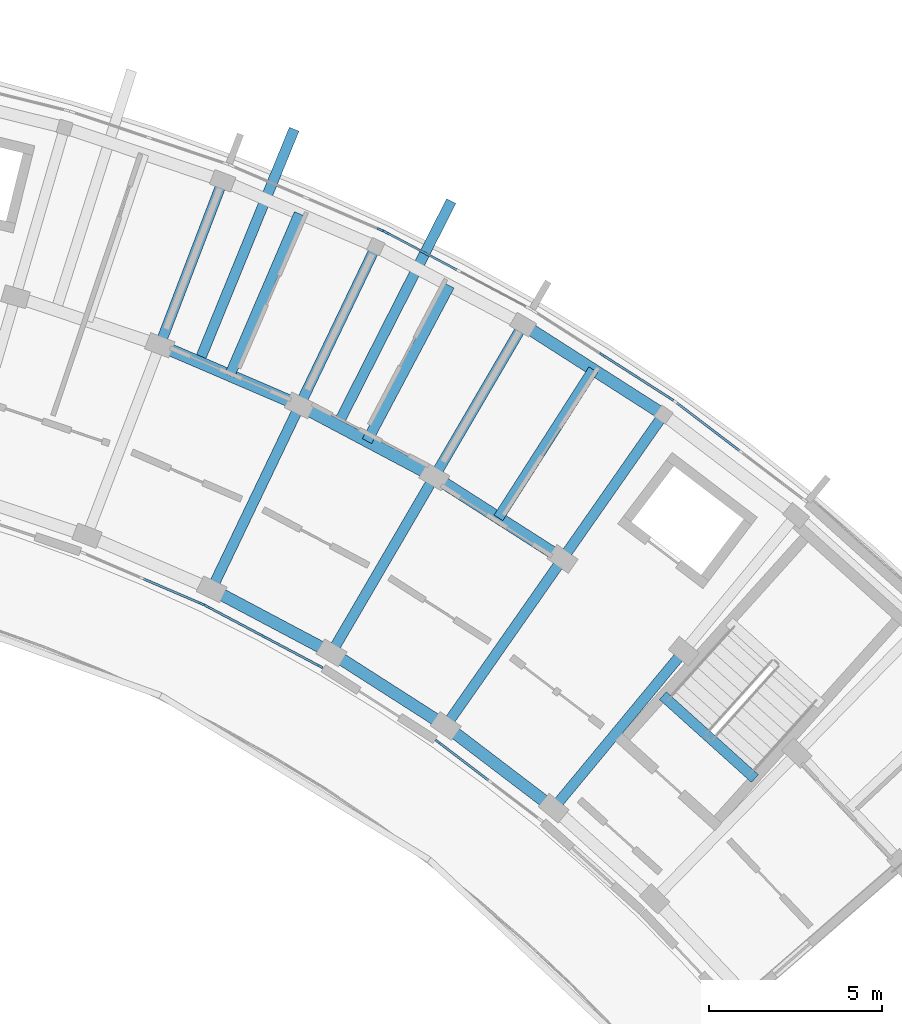
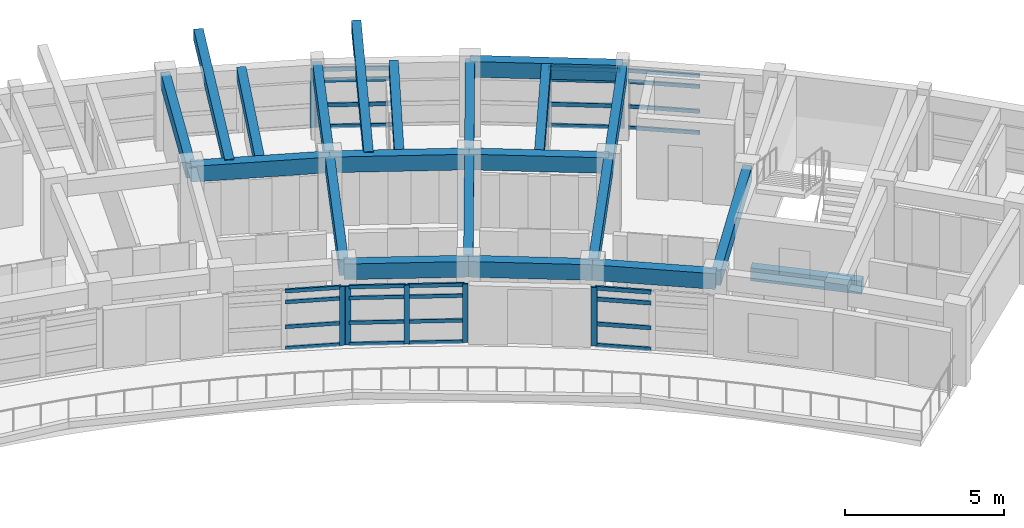
# One storey, part 13 of 38: 37 members, 21 beams, 7 elements without a shape of their own.
"""IFC4 building model written with IfcOpenShell, lengths in metres."""

from ifc_helpers import new_model, si_unit, direction, frame, origin, origin_2d, place, context, subcontext, project, spatial, rectangle, extrude, material, material_profile, profile_set, type_object, element, aggregate, save


model = new_model("IFC4")

# Units and contexts
model_context = context("Model", 3, precision=1e-05, world=origin(), true_north=direction((0.0, 1.0)))
body_context = subcontext(model_context, "Body", "Model", "MODEL_VIEW")
ifc_project = project(units=[si_unit("LENGTHUNIT", "METRE"), si_unit("AREAUNIT", "SQUARE_METRE"), si_unit("VOLUMEUNIT", "CUBIC_METRE"), si_unit("PLANEANGLEUNIT", "RADIAN"), si_unit("MASSUNIT", "GRAM", prefix="KILO")], contexts=[model_context])

# Site, building, storey
site_placement = place(None, origin())
site = spatial("IfcSite", under=ifc_project, at=site_placement, CompositionType="ELEMENT")
building_placement = place(site_placement, origin())
building = spatial("IfcBuilding", under=site, at=building_placement, Name="Zimvara Arc Housing Community", CompositionType="ELEMENT")
storey_placement = place(building_placement, frame((0.0, 0.0, 29.800048828125)))
storey = spatial("IfcBuildingStorey", under=building, at=storey_placement, Name="L09", CompositionType="ELEMENT", Elevation=29.800048828125)

# Beams
ifc_material_1 = material(Name="Concrete C40/50", Category="concrete")
ifc_material_profile_1 = material_profile(ifc_material_1, rectangle(XDim=0.300048828125, YDim=0.449951171875, at=origin_2d()), Name="RC 300x450")
ifc_profile_set_1 = profile_set([ifc_material_profile_1], Name="Concrete C40/50")
beam_type_1 = type_object("IfcBeamType", Name="BM-RC-300x450", PredefinedType="JOIST", material=ifc_profile_set_1)
beam_1_placement = place(storey_placement, frame((66.22802734375, 93.885986328125, 2.635009765625), z_axis=(0.394929109608, 0.918711596958, 0.0), x_axis=(-0.918711596958, 0.394929109608, 0.0)))
element("IfcBeam", 1, at=beam_1_placement, inside=storey, type_object=beam_type_1, Name="bm:blkB:L09:joist:b4", PredefinedType="JOIST", context=body_context, shape_type="SweptSolid", body=[
    extrude(rectangle(XDim=0.300048828125, YDim=0.449951171875, at=origin_2d()), origin(), (0.0, 0.0, 1.0), 5.075927734375),
])
for number, where, z_axis, x_axis, name in (
    (2, (70.186767578125, 91.9892578125, 2.635009765625), (0.46853732736, 0.883443701019, 0.0), (-0.883443701019, 0.46853732736, 0.0), "bm:blkB:L09:joist:b5"),
    (3, (73.9775390625, 89.776123046875, 2.635009765625), (0.539052331508, 0.842272274206, 0.0), (-0.842272274206, 0.539052331508, 0.0), "bm:blkB:L09:joist:b6"),
):
    element("IfcBeam", number, at=place(storey_placement, frame(where, z_axis=z_axis, x_axis=x_axis)), inside=storey, type_object=beam_type_1, Name=name, PredefinedType="JOIST", context=body_context, shape_type="SweptSolid", body=[
        extrude(rectangle(XDim=0.300048828125, YDim=0.449951171875, at=origin_2d()), origin(), (0.0, 0.0, 1.0), 5.07568359375),
    ])
for number, where, z_axis, x_axis, name in (
    (4, (65.354248046875, 94.301025390625, 2.6650390625), (0.37834711263, 0.925663795535, 0.0), (-0.925663795535, 0.37834711263, 0.0), "bm:blkB:L09:cant_out:b4"),
    (5, (69.349609375, 92.474365234375, 2.6650390625), (0.45261583812, 0.891705614585, 0.0), (-0.891705614585, 0.45261583812, 0.0), "bm:blkB:L09:cant_out:b5"),
):
    element("IfcBeam", number, at=place(storey_placement, frame(where, z_axis=z_axis, x_axis=x_axis)), inside=storey, type_object=beam_type_1, Name=name, PredefinedType="JOIST", context=body_context, shape_type="SweptSolid", body=[
        extrude(rectangle(XDim=0.300048828125, YDim=0.449951171875, at=origin_2d()), origin(), (0.0, 0.0, 1.0), 7.219970703125),
    ])
ifc_material_2 = material(Name="Concrete C40/50", Category="concrete")
ifc_material_profile_2 = material_profile(ifc_material_2, rectangle(XDim=0.300048828125, YDim=0.5, at=origin_2d()), Name="RC 300x500")
ifc_profile_set_2 = profile_set([ifc_material_profile_2], Name="Concrete C40/50")
beam_type_2 = type_object("IfcBeamType", Name="BM-RC-300x500", PredefinedType="BEAM", material=ifc_profile_set_2)
beam_2_placement = place(storey_placement, frame((81.375732421875, 82.259033203125, -0.25), z_axis=(-0.743362151162, 0.668889162881, 0.0), x_axis=(-0.668889162881, -0.743362151162, 0.0)))
element("IfcBeam", 6, at=beam_2_placement, inside=storey, type_object=beam_type_2, Name="bm:stair_trim:ST-B2:L09:near", PredefinedType="BEAM", context=body_context, shape_type="SweptSolid", body=[
    extrude(rectangle(XDim=0.300048828125, YDim=0.5, at=origin_2d()), origin(), (0.0, 0.0, 1.0), 3.570068359375),
])
ifc_material_3 = material(Name="Concrete C40/50", Category="concrete")
ifc_material_profile_3 = material_profile(ifc_material_3, rectangle(XDim=0.300048828125, YDim=0.550048828125, at=origin_2d()), Name="RC 300x550")
ifc_profile_set_3 = profile_set([ifc_material_profile_3], Name="Concrete C40/50")
beam_type_3 = type_object("IfcBeamType", Name="BM-RC-300x550", PredefinedType="BEAM", material=ifc_profile_set_3)
beam_3_placement = place(storey_placement, frame((64.2099609375, 94.75341796875, 2.5849609375), z_axis=(0.357078271386, 0.934074466038, 0.0), x_axis=(-0.934074466038, 0.357078271386, 0.0)))
element("IfcBeam", 7, at=beam_3_placement, inside=storey, type_object=beam_type_3, Name="bm:blkB:L09:rad:b4:r23", PredefinedType="BEAM", context=body_context, shape_type="SweptSolid", body=[
    extrude(rectangle(XDim=0.300048828125, YDim=0.550048828125, at=origin_2d()), origin(), (0.0, 0.0, 1.0), 5.080078125),
])
beam_4_placement = place(storey_placement, frame((65.70556640625, 87.7158203125, 2.5849609375), z_axis=(0.432069527705, 0.901840298073, 0.0), x_axis=(-0.901840298073, 0.432069527705, 0.0)))
element("IfcBeam", 8, at=beam_4_placement, inside=storey, type_object=beam_type_3, Name="bm:blkB:L09:rad:b5:r12", PredefinedType="BEAM", context=body_context, shape_type="SweptSolid", body=[
    extrude(rectangle(XDim=0.300048828125, YDim=0.550048828125, at=origin_2d()), origin(), (0.0, 0.0, 1.0), 5.8798828125),
])
beam_5_placement = place(storey_placement, frame((68.24609375, 93.0185546875, 2.5849609375), z_axis=(0.432098194978, 0.901826563091, 0.0), x_axis=(-0.901826563091, 0.432098194978, 0.0)))
element("IfcBeam", 9, at=beam_5_placement, inside=storey, type_object=beam_type_3, Name="bm:blkB:L09:rad:b5:r23", PredefinedType="BEAM", context=body_context, shape_type="SweptSolid", body=[
    extrude(rectangle(XDim=0.300048828125, YDim=0.550048828125, at=origin_2d()), origin(), (0.0, 0.0, 1.0), 5.080078125),
])
beam_6_placement = place(storey_placement, frame((69.16259765625, 85.88232421875, 2.5849609375), z_axis=(0.504219494781, 0.863575532934, 0.0), x_axis=(-0.863575532934, 0.504219494781, 0.0)))
element("IfcBeam", 10, at=beam_6_placement, inside=storey, type_object=beam_type_3, Name="bm:blkB:L09:rad:b6:r12", PredefinedType="BEAM", context=body_context, shape_type="SweptSolid", body=[
    extrude(rectangle(XDim=0.300048828125, YDim=0.550048828125, at=origin_2d()), origin(), (0.0, 0.0, 1.0), 5.880126953125),
])
beam_7_placement = place(storey_placement, frame((72.12744140625, 90.960205078125, 2.5849609375), z_axis=(0.504196701544, 0.863588840915, 0.0), x_axis=(-0.863588840915, 0.504196701544, 0.0)))
element("IfcBeam", 11, at=beam_7_placement, inside=storey, type_object=beam_type_3, Name="bm:blkB:L09:rad:b6:r23", PredefinedType="BEAM", context=body_context, shape_type="SweptSolid", body=[
    extrude(rectangle(XDim=0.300048828125, YDim=0.550048828125, at=origin_2d()), origin(), (0.0, 0.0, 1.0), 5.079833984375),
])
beam_8_placement = place(storey_placement, frame((72.458251953125, 83.77294921875, 2.5849609375), z_axis=(0.573027549978, 0.819536104736, 0.0), x_axis=(-0.819536104736, 0.573027549978, 0.0)))
element("IfcBeam", 12, at=beam_8_placement, inside=storey, type_object=beam_type_3, Name="bm:blkB:L09:rad:b7:r12", PredefinedType="BEAM", context=body_context, shape_type="SweptSolid", body=[
    extrude(rectangle(XDim=0.300048828125, YDim=0.550048828125, at=origin_2d()), origin(), (0.0, 0.0, 1.0), 5.8798828125),
])
beam_9_placement = place(storey_placement, frame((75.82763671875, 88.591796875, 2.5849609375), z_axis=(0.573007469479, 0.819550144848, 0.0), x_axis=(-0.819550144848, 0.573007469479, 0.0)))
element("IfcBeam", 13, at=beam_9_placement, inside=storey, type_object=beam_type_3, Name="bm:blkB:L09:rad:b7:r23", PredefinedType="BEAM", context=body_context, shape_type="SweptSolid", body=[
    extrude(rectangle(XDim=0.300048828125, YDim=0.550048828125, at=origin_2d()), origin(), (0.0, 0.0, 1.0), 5.080078125),
])
beam_10_placement = place(storey_placement, frame((75.571044921875, 81.401611328125, 2.5849609375), z_axis=(0.637955964415, 0.770072845559, 0.0), x_axis=(-0.770072845559, 0.637955964415, 0.0)))
element("IfcBeam", 14, at=beam_10_placement, inside=storey, type_object=beam_type_3, Name="bm:blkB:L09:rad:b8:r12", PredefinedType="BEAM", context=body_context, shape_type="SweptSolid", body=[
    extrude(rectangle(XDim=0.300048828125, YDim=0.550048828125, at=origin_2d()), origin(), (0.0, 0.0, 1.0), 5.880126953125),
])
ifc_material_4 = material(Name="Concrete C40/50", Category="concrete")
ifc_material_profile_4 = material_profile(ifc_material_4, rectangle(XDim=0.35009765625, YDim=0.60009765625, at=origin_2d()), Name="RC 350x600")
ifc_profile_set_4 = profile_set([ifc_material_profile_4], Name="Concrete C40/50")
beam_type_4 = type_object("IfcBeamType", Name="BM-RC-350x600", PredefinedType="BEAM", material=ifc_profile_set_4)
beam_11_placement = place(storey_placement, frame((65.70556640625, 87.7158203125, 2.56005859375), z_axis=(0.883438625159, -0.468546897948, 0.0), x_axis=(0.468546897948, 0.883438625159, 0.0)))
element("IfcBeam", 15, at=beam_11_placement, inside=storey, type_object=beam_type_4, Name="bm:blkB:L09:chord:r1:b5", PredefinedType="BEAM", context=body_context, shape_type="SweptSolid", body=[
    extrude(rectangle(XDim=0.35009765625, YDim=0.60009765625, at=origin_2d()), origin(), (0.0, 0.0, 1.0), 3.9130859375),
])
beam_12_placement = place(storey_placement, frame((69.16259765625, 85.88232421875, 2.56005859375), z_axis=(0.842253269878, -0.539082024724, 0.0), x_axis=(0.539082024724, 0.842253269878, 0.0)))
element("IfcBeam", 16, at=beam_12_placement, inside=storey, type_object=beam_type_4, Name="bm:blkB:L09:chord:r1:b6", PredefinedType="BEAM", context=body_context, shape_type="SweptSolid", body=[
    extrude(rectangle(XDim=0.35009765625, YDim=0.60009765625, at=origin_2d()), origin(), (0.0, 0.0, 1.0), 3.912841796875),
])
beam_13_placement = place(storey_placement, frame((72.458251953125, 83.77294921875, 2.56005859375), z_axis=(0.795470387579, -0.605992460749, 0.0), x_axis=(0.605992460749, 0.795470387579, 0.0)))
element("IfcBeam", 17, at=beam_13_placement, inside=storey, type_object=beam_type_4, Name="bm:blkB:L09:chord:r1:b7", PredefinedType="BEAM", context=body_context, shape_type="SweptSolid", body=[
    extrude(rectangle(XDim=0.35009765625, YDim=0.60009765625, at=origin_2d()), origin(), (0.0, 0.0, 1.0), 3.9130859375),
])
for number, where, z_axis, x_axis, name in (
    (18, (64.2099609375, 94.75341796875, 2.56005859375), (0.918724840088, -0.394898301093, 0.0), (0.394898301093, 0.918724840088, 0.0), "bm:blkB:L09:chord:r2:b4"),
    (19, (68.24609375, 93.0185546875, 2.56005859375), (0.883456526058, -0.468513144496, 0.0), (0.468513144496, 0.883456526058, 0.0), "bm:blkB:L09:chord:r2:b5"),
    (20, (72.12744140625, 90.960205078125, 2.56005859375), (0.842242131326, -0.539099427025, 0.0), (0.539099427025, 0.842242131326, 0.0), "bm:blkB:L09:chord:r2:b6"),
):
    element("IfcBeam", number, at=place(storey_placement, frame(where, z_axis=z_axis, x_axis=x_axis)), inside=storey, type_object=beam_type_4, Name=name, PredefinedType="BEAM", context=body_context, shape_type="SweptSolid", body=[
        extrude(rectangle(XDim=0.35009765625, YDim=0.60009765625, at=origin_2d()), origin(), (0.0, 0.0, 1.0), 4.393310546875),
    ])
beam_14_placement = place(storey_placement, frame((74.688720703125, 95.34716796875, 2.56005859375), z_axis=(0.842255724028, -0.539078190379, 0.0), x_axis=(0.539078190379, 0.842255724028, 0.0)))
element("IfcBeam", 21, at=beam_14_placement, inside=storey, type_object=beam_type_4, Name="bm:blkB:L09:chord:r3:b6", PredefinedType="BEAM", context=body_context, shape_type="SweptSolid", body=[
    extrude(rectangle(XDim=0.35009765625, YDim=0.60009765625, at=origin_2d()), origin(), (0.0, 0.0, 1.0), 4.808349609375),
])

# Curtain wall, member
ifc_material_5 = material(Name="Anodised Aluminium AW-6063", Category="aluminium")
curtain_wall_type_1 = type_object("IfcCurtainWallType", Name="CW-SYS-08", PredefinedType="USERDEFINED", material=ifc_material_5)
curtain_wall_1_placement = place(storey_placement, origin())
curtain_wall_1 = element("IfcCurtainWall", 22, at=curtain_wall_1_placement, inside=storey, type_object=curtain_wall_type_1, Name="cw:blkB:L09:in:b4", ObjectType="CURTAIN WALL", PredefinedType="USERDEFINED")
ifc_material_6 = material(Name="Anodised Aluminium AW-6063", Category="aluminium")
ifc_material_profile_5 = material_profile(ifc_material_6, rectangle(XDim=0.06494140625, YDim=0.179931640625, at=origin_2d()), Name="ALU 65x180")
ifc_profile_set_5 = profile_set([ifc_material_profile_5], Name="Anodised Aluminium AW-6063")
member_type_1 = type_object("IfcMemberType", Name="CWM-65x150", PredefinedType="MULLION", material=ifc_profile_set_5)
member_1_placement = place(storey_placement, frame((65.404541015625, 87.301513671875, 0.0), z_axis=(0.0, 0.0, 1.0), x_axis=(0.394903951674, 0.918722411261, 0.0)))
member_1 = element("IfcMember", 23, at=member_1_placement, type_object=member_type_1, Name="CW08 mullion 3", PredefinedType="MULLION", context=body_context, shape_type="SweptSolid", body=[
    extrude(rectangle(XDim=0.06494140625, YDim=0.179931640625, at=origin_2d()), origin(), (0.0, 0.0, 1.0), 2.25),
])

# Curtain wall, members
ifc_material_7 = material(Name="Anodised Aluminium AW-6063", Category="aluminium")
curtain_wall_type_2 = type_object("IfcCurtainWallType", Name="CW-SYS-02", PredefinedType="USERDEFINED", material=ifc_material_7)
curtain_wall_2_placement = place(storey_placement, origin())
curtain_wall_2 = element("IfcCurtainWall", 24, at=curtain_wall_2_placement, inside=storey, type_object=curtain_wall_type_2, Name="cw:blkB:L09:in:b5", ObjectType="CURTAIN WALL", PredefinedType="USERDEFINED")
member_2_placement = place(storey_placement, frame((65.5712890625, 87.2216796875, 0.0), z_axis=(0.0, 0.0, 1.0), x_axis=(0.468547099195, 0.883438518424, 0.0)))
member_2 = element("IfcMember", 25, at=member_2_placement, type_object=member_type_1, Name="CW02 mullion 1", PredefinedType="MULLION", context=body_context, shape_type="SweptSolid", body=[
    extrude(rectangle(XDim=0.06494140625, YDim=0.179931640625, at=origin_2d()), origin(), (0.0, 0.0, 1.0), 2.25),
])
member_3_placement = place(storey_placement, frame((67.199951171875, 86.357666015625, 0.0), z_axis=(0.0, 0.0, 1.0), x_axis=(0.468547099195, 0.883438518424, 0.0)))
member_3 = element("IfcMember", 26, at=member_3_placement, type_object=member_type_1, Name="CW02 mullion 2", PredefinedType="MULLION", context=body_context, shape_type="SweptSolid", body=[
    extrude(rectangle(XDim=0.06494140625, YDim=0.179931640625, at=origin_2d()), origin(), (0.0, 0.0, 1.0), 2.25),
])
member_4_placement = place(storey_placement, frame((68.82861328125, 85.493896484375, 0.0), z_axis=(0.0, 0.0, 1.0), x_axis=(0.468547099195, 0.883438518424, 0.0)))
member_4 = element("IfcMember", 27, at=member_4_placement, type_object=member_type_1, Name="CW02 mullion 3", PredefinedType="MULLION", context=body_context, shape_type="SweptSolid", body=[
    extrude(rectangle(XDim=0.06494140625, YDim=0.179931640625, at=origin_2d()), origin(), (0.0, 0.0, 1.0), 2.25),
])

# Curtain wall, member
ifc_material_8 = material(Name="Anodised Aluminium AW-6063", Category="aluminium")
curtain_wall_type_3 = type_object("IfcCurtainWallType", Name="CW-SYS-07", PredefinedType="USERDEFINED", material=ifc_material_8)
curtain_wall_3_placement = place(storey_placement, origin())
curtain_wall_3 = element("IfcCurtainWall", 28, at=curtain_wall_3_placement, inside=storey, type_object=curtain_wall_type_3, Name="cw:blkB:L09:out:b4", ObjectType="CURTAIN WALL", PredefinedType="USERDEFINED")
ifc_material_9 = material(Name="Anodised Aluminium AW-6063", Category="aluminium")
ifc_material_profile_6 = material_profile(ifc_material_9, rectangle(XDim=0.06494140625, YDim=0.195068359375, at=origin_2d()), Name="ALU 65x195")
ifc_profile_set_6 = profile_set([ifc_material_profile_6], Name="Anodised Aluminium AW-6063")
member_type_2 = type_object("IfcMemberType", Name="CWM-65x180", PredefinedType="MULLION", material=ifc_profile_set_6)
member_5_placement = place(storey_placement, frame((70.572265625, 98.08740234375, 0.0), z_axis=(0.0, 0.0, 1.0), x_axis=(0.394904211998, 0.918722299363, 0.0)))
member_5 = element("IfcMember", 29, at=member_5_placement, type_object=member_type_2, Name="CW07 mullion 3", PredefinedType="MULLION", context=body_context, shape_type="SweptSolid", body=[
    extrude(rectangle(XDim=0.06494140625, YDim=0.195068359375, at=origin_2d()), origin(), (0.0, 0.0, 1.0), 2.25),
])
aggregate(curtain_wall_3, [member_5])

ifc_material_10 = material(Name="Anodised Aluminium AW-6063", Category="aluminium")
curtain_wall_type_4 = type_object("IfcCurtainWallType", Name="CW-SYS-01", PredefinedType="USERDEFINED", material=ifc_material_10)
curtain_wall_4_placement = place(storey_placement, origin())
curtain_wall_4 = element("IfcCurtainWall", 30, at=curtain_wall_4_placement, inside=storey, type_object=curtain_wall_type_4, Name="cw:blkB:L09:out:b5", ObjectType="CURTAIN WALL", PredefinedType="USERDEFINED")
member_6_placement = place(storey_placement, frame((70.739013671875, 98.007568359375, 0.0), z_axis=(0.0, 0.0, 1.0), x_axis=(0.468546917761, 0.883438614651, 0.0)))
member_6 = element("IfcMember", 31, at=member_6_placement, type_object=member_type_2, Name="CW01 mullion 1", PredefinedType="MULLION", context=body_context, shape_type="SweptSolid", body=[
    extrude(rectangle(XDim=0.06494140625, YDim=0.195068359375, at=origin_2d()), origin(), (0.0, 0.0, 1.0), 2.25),
])

# Curtain wall, members
ifc_material_11 = material(Name="Anodised Aluminium AW-6063", Category="aluminium")
curtain_wall_type_5 = type_object("IfcCurtainWallType", Name="CW-SYS-03", PredefinedType="USERDEFINED", material=ifc_material_11)
curtain_wall_5_placement = place(storey_placement, origin())
curtain_wall_5 = element("IfcCurtainWall", 32, at=curtain_wall_5_placement, inside=storey, type_object=curtain_wall_type_5, Name="cw:blkB:L09:out:b6", ObjectType="CURTAIN WALL", PredefinedType="USERDEFINED")
member_7_placement = place(storey_placement, frame((76.98291015625, 94.471923828125, 0.0), z_axis=(0.0, 0.0, 1.0), x_axis=(0.539064617721, 0.842264410931, 0.0)))
member_7 = element("IfcMember", 33, at=member_7_placement, type_object=member_type_2, Name="CW03 mullion 2", PredefinedType="MULLION", context=body_context, shape_type="SweptSolid", body=[
    extrude(rectangle(XDim=0.06494140625, YDim=0.195068359375, at=origin_2d()), origin(), (0.0, 0.0, 1.0), 2.25),
])
member_8_placement = place(storey_placement, frame((78.947021484375, 93.21484375, 0.0), z_axis=(0.0, 0.0, 1.0), x_axis=(0.539064617721, 0.842264410931, 0.0)))
member_8 = element("IfcMember", 34, at=member_8_placement, type_object=member_type_2, Name="CW03 mullion 3", PredefinedType="MULLION", context=body_context, shape_type="SweptSolid", body=[
    extrude(rectangle(XDim=0.06494140625, YDim=0.195068359375, at=origin_2d()), origin(), (0.0, 0.0, 1.0), 2.25),
])

# Curtain wall, member
ifc_material_12 = material(Name="Anodised Aluminium AW-6063", Category="aluminium")
curtain_wall_type_6 = type_object("IfcCurtainWallType", Name="CW-SYS-05", PredefinedType="USERDEFINED", material=ifc_material_12)
curtain_wall_6_placement = place(storey_placement, origin())
curtain_wall_6 = element("IfcCurtainWall", 35, at=curtain_wall_6_placement, inside=storey, type_object=curtain_wall_type_6, Name="cw:blkB:L09:in:b7", ObjectType="CURTAIN WALL", PredefinedType="USERDEFINED")
member_9_placement = place(storey_placement, frame((72.245361328125, 83.30712890625, 0.0), z_axis=(0.0, 0.0, 1.0), x_axis=(0.605987809503, 0.795473930895, 0.0)))
member_9 = element("IfcMember", 36, at=member_9_placement, type_object=member_type_2, Name="CW05 mullion 1", PredefinedType="MULLION", context=body_context, shape_type="SweptSolid", body=[
    extrude(rectangle(XDim=0.06494140625, YDim=0.195068359375, at=origin_2d()), origin(), (0.0, 0.0, 1.0), 2.25),
])

# Member
ifc_material_13 = material(Name="Anodised Aluminium AW-6063", Category="aluminium")
ifc_material_profile_7 = material_profile(ifc_material_13, rectangle(XDim=0.06494140625, YDim=0.139892578125, at=origin_2d()), Name="ALU 65x140")
ifc_profile_set_7 = profile_set([ifc_material_profile_7], Name="Anodised Aluminium AW-6063")
member_type_3 = type_object("IfcMemberType", Name="CWT-65x120", PredefinedType="USERDEFINED", material=ifc_profile_set_7)
member_10_placement = place(storey_placement, frame((63.740478515625, 88.0166015625, 0.032470703125), z_axis=(0.918739899324, -0.39486326417, 0.0), x_axis=(0.39486326417, 0.918739899324, 0.0)))
member_10 = element("IfcMember", 37, at=member_10_placement, type_object=member_type_3, Name="CW08 transom 2.1", ObjectType="TRANSOM", PredefinedType="USERDEFINED", context=body_context, shape_type="SweptSolid", body=[
    extrude(rectangle(XDim=0.06494140625, YDim=0.139892578125, at=origin_2d()), origin(), (0.0, 0.0, 1.0), 1.77880859375),
])

member_11_placement = place(storey_placement, frame((63.740478515625, 88.0166015625, 0.849853515625), z_axis=(0.918739899324, -0.39486326417, 0.0), x_axis=(0.39486326417, 0.918739899324, 0.0)))
member_11 = element("IfcMember", 38, at=member_11_placement, type_object=member_type_3, Name="CW08 transom 2.2", ObjectType="TRANSOM", PredefinedType="USERDEFINED", context=body_context, shape_type="SweptSolid", body=[
    extrude(rectangle(XDim=0.06494140625, YDim=0.139892578125, at=origin_2d()), origin(), (0.0, 0.0, 1.0), 1.77880859375),
])

member_12_placement = place(storey_placement, frame((63.740478515625, 88.0166015625, 1.800048828125), z_axis=(0.918739899324, -0.39486326417, 0.0), x_axis=(0.39486326417, 0.918739899324, 0.0)))
member_12 = element("IfcMember", 39, at=member_12_placement, type_object=member_type_3, Name="CW08 transom 2.3", ObjectType="TRANSOM", PredefinedType="USERDEFINED", context=body_context, shape_type="SweptSolid", body=[
    extrude(rectangle(XDim=0.06494140625, YDim=0.139892578125, at=origin_2d()), origin(), (0.0, 0.0, 1.0), 1.77880859375),
])

member_13_placement = place(storey_placement, frame((63.740478515625, 88.0166015625, 2.217529296875), z_axis=(0.918739899324, -0.39486326417, 0.0), x_axis=(0.39486326417, 0.918739899324, 0.0)))
member_13 = element("IfcMember", 40, at=member_13_placement, type_object=member_type_3, Name="CW08 transom 2.4", ObjectType="TRANSOM", PredefinedType="USERDEFINED", context=body_context, shape_type="SweptSolid", body=[
    extrude(rectangle(XDim=0.06494140625, YDim=0.139892578125, at=origin_2d()), origin(), (0.0, 0.0, 1.0), 1.77880859375),
])

aggregate(curtain_wall_1, [member_1, member_10, member_11, member_12, member_13])

member_14_placement = place(storey_placement, frame((65.599853515625, 87.206298828125, 0.032470703125), z_axis=(0.883463823767, -0.468499383238, 0.0), x_axis=(0.468499383238, 0.883463823767, 0.0)))
member_14 = element("IfcMember", 41, at=member_14_placement, type_object=member_type_3, Name="CW02 transom 1.1", ObjectType="TRANSOM", PredefinedType="USERDEFINED", context=body_context, shape_type="SweptSolid", body=[
    extrude(rectangle(XDim=0.06494140625, YDim=0.139892578125, at=origin_2d()), origin(), (0.0, 0.0, 1.0), 1.778564453125),
])

member_15_placement = place(storey_placement, frame((65.599853515625, 87.206298828125, 0.849853515625), z_axis=(0.883463823767, -0.468499383238, 0.0), x_axis=(0.468499383238, 0.883463823767, 0.0)))
member_15 = element("IfcMember", 42, at=member_15_placement, type_object=member_type_3, Name="CW02 transom 1.2", ObjectType="TRANSOM", PredefinedType="USERDEFINED", context=body_context, shape_type="SweptSolid", body=[
    extrude(rectangle(XDim=0.06494140625, YDim=0.139892578125, at=origin_2d()), origin(), (0.0, 0.0, 1.0), 1.778564453125),
])

member_16_placement = place(storey_placement, frame((65.599853515625, 87.206298828125, 1.800048828125), z_axis=(0.883463823767, -0.468499383238, 0.0), x_axis=(0.468499383238, 0.883463823767, 0.0)))
member_16 = element("IfcMember", 43, at=member_16_placement, type_object=member_type_3, Name="CW02 transom 1.3", ObjectType="TRANSOM", PredefinedType="USERDEFINED", context=body_context, shape_type="SweptSolid", body=[
    extrude(rectangle(XDim=0.06494140625, YDim=0.139892578125, at=origin_2d()), origin(), (0.0, 0.0, 1.0), 1.778564453125),
])

member_17_placement = place(storey_placement, frame((65.599853515625, 87.206298828125, 2.217529296875), z_axis=(0.883463823767, -0.468499383238, 0.0), x_axis=(0.468499383238, 0.883463823767, 0.0)))
member_17 = element("IfcMember", 44, at=member_17_placement, type_object=member_type_3, Name="CW02 transom 1.4", ObjectType="TRANSOM", PredefinedType="USERDEFINED", context=body_context, shape_type="SweptSolid", body=[
    extrude(rectangle(XDim=0.06494140625, YDim=0.139892578125, at=origin_2d()), origin(), (0.0, 0.0, 1.0), 1.778564453125),
])

member_18_placement = place(storey_placement, frame((67.228759765625, 86.342529296875, 0.032470703125), z_axis=(0.883407004942, -0.468606512566, 0.0), x_axis=(0.468606512566, 0.883407004942, 0.0)))
member_18 = element("IfcMember", 45, at=member_18_placement, type_object=member_type_3, Name="CW02 transom 2.1", ObjectType="TRANSOM", PredefinedType="USERDEFINED", context=body_context, shape_type="SweptSolid", body=[
    extrude(rectangle(XDim=0.06494140625, YDim=0.139892578125, at=origin_2d()), origin(), (0.0, 0.0, 1.0), 1.778564453125),
])

member_19_placement = place(storey_placement, frame((67.228759765625, 86.342529296875, 0.849853515625), z_axis=(0.883407004942, -0.468606512566, 0.0), x_axis=(0.468606512566, 0.883407004942, 0.0)))
member_19 = element("IfcMember", 46, at=member_19_placement, type_object=member_type_3, Name="CW02 transom 2.2", ObjectType="TRANSOM", PredefinedType="USERDEFINED", context=body_context, shape_type="SweptSolid", body=[
    extrude(rectangle(XDim=0.06494140625, YDim=0.139892578125, at=origin_2d()), origin(), (0.0, 0.0, 1.0), 1.778564453125),
])

member_20_placement = place(storey_placement, frame((67.228759765625, 86.342529296875, 1.800048828125), z_axis=(0.883407004942, -0.468606512566, 0.0), x_axis=(0.468606512566, 0.883407004942, 0.0)))
member_20 = element("IfcMember", 47, at=member_20_placement, type_object=member_type_3, Name="CW02 transom 2.3", ObjectType="TRANSOM", PredefinedType="USERDEFINED", context=body_context, shape_type="SweptSolid", body=[
    extrude(rectangle(XDim=0.06494140625, YDim=0.139892578125, at=origin_2d()), origin(), (0.0, 0.0, 1.0), 1.778564453125),
])

member_21_placement = place(storey_placement, frame((67.228759765625, 86.342529296875, 2.217529296875), z_axis=(0.883407004942, -0.468606512566, 0.0), x_axis=(0.468606512566, 0.883407004942, 0.0)))
member_21 = element("IfcMember", 48, at=member_21_placement, type_object=member_type_3, Name="CW02 transom 2.4", ObjectType="TRANSOM", PredefinedType="USERDEFINED", context=body_context, shape_type="SweptSolid", body=[
    extrude(rectangle(XDim=0.06494140625, YDim=0.139892578125, at=origin_2d()), origin(), (0.0, 0.0, 1.0), 1.778564453125),
])

aggregate(curtain_wall_2, [member_2, member_3, member_4, member_14, member_15, member_16, member_17, member_18, member_19, member_20, member_21])

# Curtain wall, members
ifc_material_14 = material(Name="Anodised Aluminium AW-6063", Category="aluminium")
curtain_wall_type_7 = type_object("IfcCurtainWallType", Name="CW-SYS-04", PredefinedType="USERDEFINED", material=ifc_material_14)
curtain_wall_7_placement = place(storey_placement, origin())
curtain_wall_7 = element("IfcCurtainWall", 49, at=curtain_wall_7_placement, inside=storey, type_object=curtain_wall_type_7, Name="cw:blkB:L09:out:b7", ObjectType="CURTAIN WALL", PredefinedType="USERDEFINED")
member_22_placement = place(storey_placement, frame((79.12451171875, 93.08935546875, 0.032470703125), z_axis=(0.795453969776, -0.606014011363, 0.0), x_axis=(0.606014011363, 0.795453969776, 0.0)))
member_22 = element("IfcMember", 50, at=member_22_placement, type_object=member_type_3, Name="CW04 transom 1.1", ObjectType="TRANSOM", PredefinedType="USERDEFINED", context=body_context, shape_type="SweptSolid", body=[
    extrude(rectangle(XDim=0.06494140625, YDim=0.139892578125, at=origin_2d()), origin(), (0.0, 0.0, 1.0), 2.266845703125),
])
member_23_placement = place(storey_placement, frame((79.12451171875, 93.08935546875, 0.849853515625), z_axis=(0.795453969776, -0.606014011363, 0.0), x_axis=(0.606014011363, 0.795453969776, 0.0)))
member_23 = element("IfcMember", 51, at=member_23_placement, type_object=member_type_3, Name="CW04 transom 1.2", ObjectType="TRANSOM", PredefinedType="USERDEFINED", context=body_context, shape_type="SweptSolid", body=[
    extrude(rectangle(XDim=0.06494140625, YDim=0.139892578125, at=origin_2d()), origin(), (0.0, 0.0, 1.0), 2.266845703125),
])
member_24_placement = place(storey_placement, frame((79.12451171875, 93.08935546875, 1.800048828125), z_axis=(0.795453969776, -0.606014011363, 0.0), x_axis=(0.606014011363, 0.795453969776, 0.0)))
member_24 = element("IfcMember", 52, at=member_24_placement, type_object=member_type_3, Name="CW04 transom 1.3", ObjectType="TRANSOM", PredefinedType="USERDEFINED", context=body_context, shape_type="SweptSolid", body=[
    extrude(rectangle(XDim=0.06494140625, YDim=0.139892578125, at=origin_2d()), origin(), (0.0, 0.0, 1.0), 2.266845703125),
])
member_25_placement = place(storey_placement, frame((79.12451171875, 93.08935546875, 2.217529296875), z_axis=(0.795453969776, -0.606014011363, 0.0), x_axis=(0.606014011363, 0.795453969776, 0.0)))
member_25 = element("IfcMember", 53, at=member_25_placement, type_object=member_type_3, Name="CW04 transom 1.4", ObjectType="TRANSOM", PredefinedType="USERDEFINED", context=body_context, shape_type="SweptSolid", body=[
    extrude(rectangle(XDim=0.06494140625, YDim=0.139892578125, at=origin_2d()), origin(), (0.0, 0.0, 1.0), 2.266845703125),
])
aggregate(curtain_wall_7, [member_22, member_23, member_24, member_25])

# Member
ifc_material_15 = material(Name="Anodised Aluminium AW-6063", Category="aluminium")
ifc_material_profile_8 = material_profile(ifc_material_15, rectangle(XDim=0.06494140625, YDim=0.155029296875, at=origin_2d()), Name="ALU 65x155")
ifc_profile_set_8 = profile_set([ifc_material_profile_8], Name="Anodised Aluminium AW-6063")
member_type_4 = type_object("IfcMemberType", Name="CWT-65x140", PredefinedType="USERDEFINED", material=ifc_profile_set_8)
member_26_placement = place(storey_placement, frame((70.767578125, 97.9921875, 0.032470703125), z_axis=(0.883489114766, -0.468451688107, 0.0), x_axis=(0.468451688107, 0.883489114766, 0.0)))
member_26 = element("IfcMember", 54, at=member_26_placement, type_object=member_type_4, Name="CW01 transom 1.1", ObjectType="TRANSOM", PredefinedType="USERDEFINED", context=body_context, shape_type="SweptSolid", body=[
    extrude(rectangle(XDim=0.06494140625, YDim=0.155029296875, at=origin_2d()), origin(), (0.0, 0.0, 1.0), 2.26708984375),
])

member_27_placement = place(storey_placement, frame((70.767578125, 97.9921875, 0.849853515625), z_axis=(0.883489114766, -0.468451688107, 0.0), x_axis=(0.468451688107, 0.883489114766, 0.0)))
member_27 = element("IfcMember", 55, at=member_27_placement, type_object=member_type_4, Name="CW01 transom 1.2", ObjectType="TRANSOM", PredefinedType="USERDEFINED", context=body_context, shape_type="SweptSolid", body=[
    extrude(rectangle(XDim=0.06494140625, YDim=0.155029296875, at=origin_2d()), origin(), (0.0, 0.0, 1.0), 2.26708984375),
])

member_28_placement = place(storey_placement, frame((70.767578125, 97.9921875, 1.800048828125), z_axis=(0.883489114766, -0.468451688107, 0.0), x_axis=(0.468451688107, 0.883489114766, 0.0)))
member_28 = element("IfcMember", 56, at=member_28_placement, type_object=member_type_4, Name="CW01 transom 1.3", ObjectType="TRANSOM", PredefinedType="USERDEFINED", context=body_context, shape_type="SweptSolid", body=[
    extrude(rectangle(XDim=0.06494140625, YDim=0.155029296875, at=origin_2d()), origin(), (0.0, 0.0, 1.0), 2.26708984375),
])

member_29_placement = place(storey_placement, frame((70.767578125, 97.9921875, 2.217529296875), z_axis=(0.883489114766, -0.468451688107, 0.0), x_axis=(0.468451688107, 0.883489114766, 0.0)))
member_29 = element("IfcMember", 57, at=member_29_placement, type_object=member_type_4, Name="CW01 transom 1.4", ObjectType="TRANSOM", PredefinedType="USERDEFINED", context=body_context, shape_type="SweptSolid", body=[
    extrude(rectangle(XDim=0.06494140625, YDim=0.155029296875, at=origin_2d()), origin(), (0.0, 0.0, 1.0), 2.26708984375),
])

aggregate(curtain_wall_4, [member_6, member_26, member_27, member_28, member_29])

member_30_placement = place(storey_placement, frame((77.01025390625, 94.454345703125, 0.032470703125), z_axis=(0.842292914806, -0.539020079095, 0.0), x_axis=(0.539020079095, 0.842292914806, 0.0)))
member_30 = element("IfcMember", 58, at=member_30_placement, type_object=member_type_4, Name="CW03 transom 2.1", ObjectType="TRANSOM", PredefinedType="USERDEFINED", context=body_context, shape_type="SweptSolid", body=[
    extrude(rectangle(XDim=0.06494140625, YDim=0.155029296875, at=origin_2d()), origin(), (0.0, 0.0, 1.0), 2.266845703125),
])

member_31_placement = place(storey_placement, frame((77.01025390625, 94.454345703125, 0.849853515625), z_axis=(0.842292914806, -0.539020079095, 0.0), x_axis=(0.539020079095, 0.842292914806, 0.0)))
member_31 = element("IfcMember", 59, at=member_31_placement, type_object=member_type_4, Name="CW03 transom 2.2", ObjectType="TRANSOM", PredefinedType="USERDEFINED", context=body_context, shape_type="SweptSolid", body=[
    extrude(rectangle(XDim=0.06494140625, YDim=0.155029296875, at=origin_2d()), origin(), (0.0, 0.0, 1.0), 2.266845703125),
])

member_32_placement = place(storey_placement, frame((77.01025390625, 94.454345703125, 1.800048828125), z_axis=(0.842292914806, -0.539020079095, 0.0), x_axis=(0.539020079095, 0.842292914806, 0.0)))
member_32 = element("IfcMember", 60, at=member_32_placement, type_object=member_type_4, Name="CW03 transom 2.3", ObjectType="TRANSOM", PredefinedType="USERDEFINED", context=body_context, shape_type="SweptSolid", body=[
    extrude(rectangle(XDim=0.06494140625, YDim=0.155029296875, at=origin_2d()), origin(), (0.0, 0.0, 1.0), 2.266845703125),
])

member_33_placement = place(storey_placement, frame((77.01025390625, 94.454345703125, 2.217529296875), z_axis=(0.842292914806, -0.539020079095, 0.0), x_axis=(0.539020079095, 0.842292914806, 0.0)))
member_33 = element("IfcMember", 61, at=member_33_placement, type_object=member_type_4, Name="CW03 transom 2.4", ObjectType="TRANSOM", PredefinedType="USERDEFINED", context=body_context, shape_type="SweptSolid", body=[
    extrude(rectangle(XDim=0.06494140625, YDim=0.155029296875, at=origin_2d()), origin(), (0.0, 0.0, 1.0), 2.266845703125),
])

aggregate(curtain_wall_5, [member_7, member_8, member_30, member_31, member_32, member_33])

member_34_placement = place(storey_placement, frame((72.271240234375, 83.287353515625, 0.032470703125), z_axis=(0.79544747465, -0.60602253677, 0.0), x_axis=(0.60602253677, 0.79544747465, 0.0)))
member_34 = element("IfcMember", 62, at=member_34_placement, type_object=member_type_4, Name="CW05 transom 1.1", ObjectType="TRANSOM", PredefinedType="USERDEFINED", context=body_context, shape_type="SweptSolid", body=[
    extrude(rectangle(XDim=0.06494140625, YDim=0.155029296875, at=origin_2d()), origin(), (0.0, 0.0, 1.0), 1.778564453125),
])

member_35_placement = place(storey_placement, frame((72.271240234375, 83.287353515625, 0.849853515625), z_axis=(0.79544747465, -0.60602253677, 0.0), x_axis=(0.60602253677, 0.79544747465, 0.0)))
member_35 = element("IfcMember", 63, at=member_35_placement, type_object=member_type_4, Name="CW05 transom 1.2", ObjectType="TRANSOM", PredefinedType="USERDEFINED", context=body_context, shape_type="SweptSolid", body=[
    extrude(rectangle(XDim=0.06494140625, YDim=0.155029296875, at=origin_2d()), origin(), (0.0, 0.0, 1.0), 1.778564453125),
])

member_36_placement = place(storey_placement, frame((72.271240234375, 83.287353515625, 1.800048828125), z_axis=(0.79544747465, -0.60602253677, 0.0), x_axis=(0.60602253677, 0.79544747465, 0.0)))
member_36 = element("IfcMember", 64, at=member_36_placement, type_object=member_type_4, Name="CW05 transom 1.3", ObjectType="TRANSOM", PredefinedType="USERDEFINED", context=body_context, shape_type="SweptSolid", body=[
    extrude(rectangle(XDim=0.06494140625, YDim=0.155029296875, at=origin_2d()), origin(), (0.0, 0.0, 1.0), 1.778564453125),
])

member_37_placement = place(storey_placement, frame((72.271240234375, 83.287353515625, 2.217529296875), z_axis=(0.79544747465, -0.60602253677, 0.0), x_axis=(0.60602253677, 0.79544747465, 0.0)))
member_37 = element("IfcMember", 65, at=member_37_placement, type_object=member_type_4, Name="CW05 transom 1.4", ObjectType="TRANSOM", PredefinedType="USERDEFINED", context=body_context, shape_type="SweptSolid", body=[
    extrude(rectangle(XDim=0.06494140625, YDim=0.155029296875, at=origin_2d()), origin(), (0.0, 0.0, 1.0), 1.778564453125),
])

aggregate(curtain_wall_6, [member_9, member_34, member_35, member_36, member_37])

save(model, "model.ifc")
